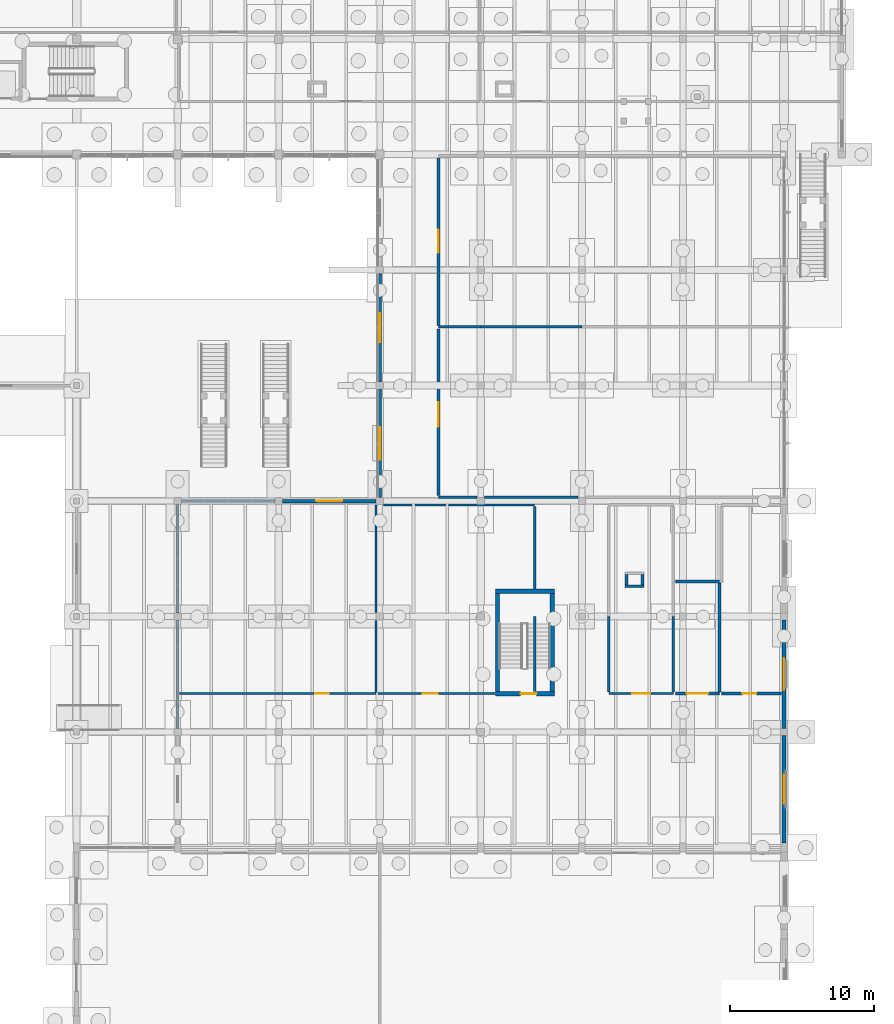
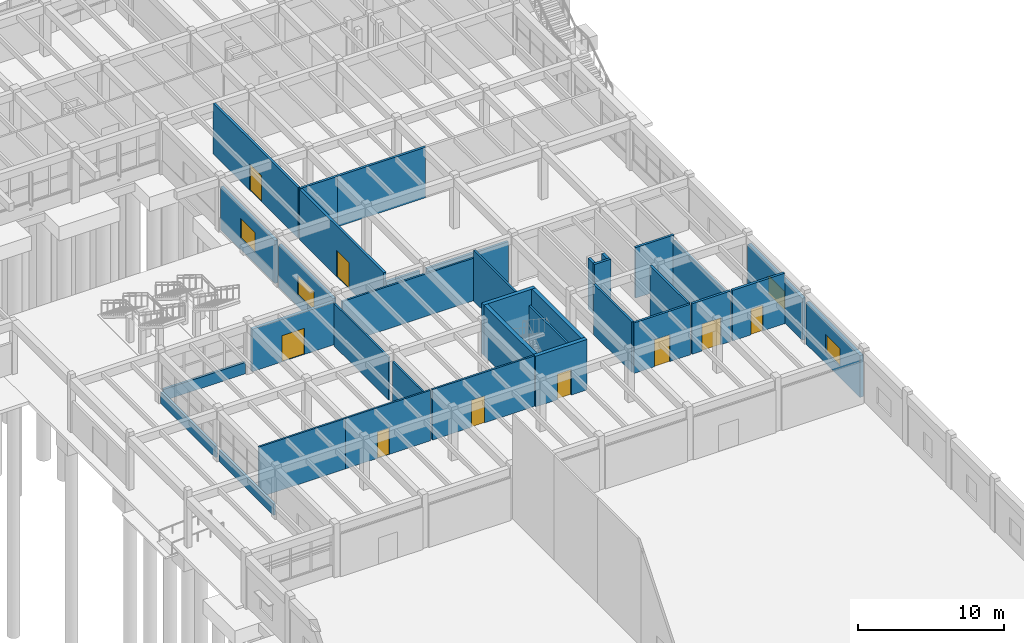
# One storey, part 69 of 99: 36 walls, 9 doors, 4 windows, 13 openings.
"""IFC4 building model written with IfcOpenShell, lengths in metres."""

from ifc_helpers import new_model, si_unit, direction, frame, frame_2d, origin, place, context, subcontext, project, spatial, rectangle, extrude, material, layer, layer_set, type_object, element, fill, save


model = new_model("IFC4")

# Units and contexts
model_context = context("Model", 3, precision=1e-05, world=origin(), true_north=direction((0.0, 1.0)))
body_context = subcontext(model_context, "Body", "Model", "MODEL_VIEW")
ifc_project = project(units=[si_unit("LENGTHUNIT", "METRE"), si_unit("AREAUNIT", "SQUARE_METRE"), si_unit("VOLUMEUNIT", "CUBIC_METRE"), si_unit("PLANEANGLEUNIT", "RADIAN"), si_unit("MASSUNIT", "GRAM", prefix="KILO")], contexts=[model_context])

# Site, building, storey
site_placement = place(None, origin())
site = spatial("IfcSite", under=ifc_project, at=site_placement, CompositionType="ELEMENT")
building_placement = place(site_placement, origin())
building = spatial("IfcBuilding", under=site, at=building_placement, Name="Tonlespit Floodbar School", CompositionType="ELEMENT")
storey_placement = place(building_placement, origin())
storey = spatial("IfcBuildingStorey", under=building, at=storey_placement, Name="L00", CompositionType="ELEMENT", Elevation=0.0)

# Wall, opening, door
ifc_material_1 = material(Name="Concrete C40/50", Category="concrete")
ifc_layer_1 = layer(ifc_material_1, 0.300048828125)
ifc_layer_set_1 = layer_set([ifc_layer_1], Name="Concrete C40/50")
wall_type_1 = type_object("IfcWallType", Name="CoreWall_RC_300", PredefinedType="SHEAR", material=ifc_layer_set_1)
wall_1_placement = place(storey_placement, frame((160.10009765625, 66.64990234375, 0.0), z_axis=(0.0, 0.0, 1.0), x_axis=(-1.0, 0.0, 0.0)))
wall_1 = element("IfcWall", 1, at=wall_1_placement, inside=storey, type_object=wall_type_1, Name="L00 core C5 shear wall NEAR", PredefinedType="SHEAR", context=body_context, shape_type="SweptSolid", body=[
    extrude(rectangle(XDim=4.10009765625, YDim=0.300048828125, at=frame_2d((2.050048828125, 0.0))), origin(), (0.0, 0.0, 1.0), 4.239990234375),
])
opening_1_placement = place(wall_1_placement, frame((1.25, 0.0, 0.0)))
opening_1 = element("IfcOpeningElement", 2, at=opening_1_placement, cuts=wall_1, Name="Opening FD1-C5-L00", PredefinedType="OPENING", context=body_context, shape_type="SweptSolid", body=[
    extrude(rectangle(XDim=1.10009765625, YDim=2.14990234375, at=frame_2d((0.550048828125, 1.074951171875))), frame((0.0, 0.159912109375, 0.0), z_axis=(0.0, -1.0, 0.0), x_axis=(1.0, 0.0, 0.0)), (0.0, 0.0, 1.0), 0.320068359375),
])
ifc_material_2 = material(Name="Galvanised Steel", Category="steel")
door_type_1 = type_object("IfcDoorType", Name="FireDoor_Stair_1100x2150", OperationType="NOTDEFINED", PredefinedType="DOOR", material=ifc_material_2)
door_1_placement = place(opening_1_placement, origin())
door_1 = element("IfcDoor", 3, at=door_1_placement, inside=storey, type_object=door_type_1, Name="L00 stair ST-C5 fire door", OperationType="SINGLE_SWING_RIGHT", OverallHeight=2.14990234375, OverallWidth=1.10009765625, PredefinedType="DOOR", context=body_context, shape_type="SweptSolid", body=[
    extrude(rectangle(XDim=1.10009765625, YDim=2.14990234375, at=frame_2d((0.550048828125, 1.074951171875))), frame((0.0, 0.02490234375, 0.0), z_axis=(0.0, -1.0, 0.0), x_axis=(1.0, 0.0, 0.0)), (0.0, 0.0, 1.0), 0.050048828125),
])
fill(opening_1, door_1)

# Walls
wall_2_placement = place(storey_placement, frame((156.0, 73.75, 0.0), z_axis=(0.0, 0.0, 1.0), x_axis=(1.0, 0.0, 0.0)))
element("IfcWall", 4, at=wall_2_placement, inside=storey, type_object=wall_type_1, Name="L00 core C5 shear wall FAR", PredefinedType="SHEAR", context=body_context, shape_type="SweptSolid", body=[
    extrude(rectangle(XDim=4.10009765625, YDim=0.300048828125, at=frame_2d((2.050048828125, 0.0))), origin(), (0.0, 0.0, 1.0), 4.239990234375),
])
for number, where, z_axis, x_axis, name in (
    (5, (159.949951171875, 66.800048828125, 0.0), (0.0, 0.0, 1.0), (0.0, 1.0, 0.0), "L00 core C5 shear wall LEFT"),
    (6, (156.14990234375, 73.60009765625, 0.0), (0.0, 0.0, 1.0), (0.0, -1.0, 0.0), "L00 core C5 shear wall RGHT"),
):
    element("IfcWall", number, at=place(storey_placement, frame(where, z_axis=z_axis, x_axis=x_axis)), inside=storey, type_object=wall_type_1, Name=name, PredefinedType="SHEAR", context=body_context, shape_type="SweptSolid", body=[
        extrude(rectangle(XDim=6.800048828125, YDim=0.300048828125, at=frame_2d((3.39990234375, 0.0))), origin(), (0.0, 0.0, 1.0), 4.239990234375),
    ])

# Wall, opening, door
ifc_material_3 = material(Name="Precast concrete C40/50", Category="concrete")
ifc_layer_2 = layer(ifc_material_3, 0.239990234375)
ifc_layer_set_2 = layer_set([ifc_layer_2], Name="Precast concrete C40/50")
wall_type_2 = type_object("IfcWallType", Name="ExtWall_Rainscreen_240", PredefinedType="SOLIDWALL", material=ifc_layer_set_2)
wall_3_placement = place(storey_placement, frame((141.25, 80.0, 0.0), z_axis=(0.0, 0.0, 1.0), x_axis=(1.0, 0.0, 0.0)))
wall_3 = element("IfcWall", 7, at=wall_3_placement, inside=storey, type_object=wall_type_2, Name="L00 external wall 0501", PredefinedType="SOLIDWALL", context=body_context, shape_type="SweptSolid", body=[
    extrude(rectangle(XDim=6.5, YDim=0.239990234375, at=frame_2d((3.25, 0.0))), origin(), (0.0, 0.0, 1.0), 3.56494140625),
])
opening_2_placement = place(wall_3_placement, frame((2.35009765625, 0.0, 0.0)))
opening_2 = element("IfcOpeningElement", 8, at=opening_2_placement, cuts=wall_3, Name="Opening D-EX-026", PredefinedType="OPENING", context=body_context, shape_type="SweptSolid", body=[
    extrude(rectangle(XDim=1.800048828125, YDim=2.199951171875, at=frame_2d((0.89990234375, 1.10009765625))), frame((0.0, 0.1298828125, 0.0), z_axis=(0.0, -1.0, 0.0), x_axis=(1.0, 0.0, 0.0)), (0.0, 0.0, 1.0), 0.260009765625),
])
ifc_material_4 = material(Name="Anodised Aluminium", Category="aluminium")
door_type_2 = type_object("IfcDoorType", Name="ExtDoor_Exit_1800x2200", OperationType="NOTDEFINED", PredefinedType="DOOR", material=ifc_material_4)
door_2_placement = place(opening_2_placement, origin())
door_2 = element("IfcDoor", 9, at=door_2_placement, inside=storey, type_object=door_type_2, Name="Final exit door D-EX-026", OperationType="SINGLE_SWING_RIGHT", OverallHeight=2.199951171875, OverallWidth=1.800048828125, PredefinedType="DOOR", context=body_context, shape_type="SweptSolid", body=[
    extrude(rectangle(XDim=1.800048828125, YDim=2.199951171875, at=frame_2d((0.89990234375, 1.10009765625))), frame((0.0, 0.02490234375, 0.0), z_axis=(0.0, -1.0, 0.0), x_axis=(1.0, 0.0, 0.0)), (0.0, 0.0, 1.0), 0.050048828125),
])
fill(opening_2, door_2)

# Wall, opening, window
wall_4_placement = place(storey_placement, frame((148.0, 88.25, 0.0), z_axis=(0.0, 0.0, 1.0), x_axis=(0.0, 1.0, 0.0)))
wall_4 = element("IfcWall", 10, at=wall_4_placement, inside=storey, type_object=wall_type_2, Name="L00 external wall 0550", PredefinedType="SOLIDWALL", context=body_context, shape_type="SweptSolid", body=[
    extrude(rectangle(XDim=7.5, YDim=0.239990234375, at=frame_2d((3.75, 0.0))), origin(), (0.0, 0.0, 1.0), 3.590087890625),
])
opening_3_placement = place(wall_4_placement, frame((2.75, 0.0, 0.949951171875)))
opening_3 = element("IfcOpeningElement", 11, at=opening_3_placement, cuts=wall_4, Name="Opening W-L00-077", PredefinedType="OPENING", context=body_context, shape_type="SweptSolid", body=[
    extrude(rectangle(XDim=2.0, YDim=1.64990234375, at=frame_2d((1.0, 0.824951171875))), frame((0.0, 0.1298828125, 0.0), z_axis=(0.0, -1.0, 0.0), x_axis=(1.0, 0.0, 0.0)), (0.0, 0.0, 1.0), 0.260009765625),
])
ifc_material_5 = material(Name="Tempered Double Glazing", Category="glass")
window_type_1 = type_object("IfcWindowType", Name="Win_Mod_2000x1650", PartitioningType="DOUBLE_PANEL_VERTICAL", PredefinedType="WINDOW", material=ifc_material_5)
window_1_placement = place(opening_3_placement, origin())
window_1 = element("IfcWindow", 12, at=window_1_placement, inside=storey, type_object=window_type_1, Name="L00 window W-L00-077", OverallHeight=1.64990234375, OverallWidth=2.0, PartitioningType="DOUBLE_PANEL_VERTICAL", PredefinedType="WINDOW", context=body_context, shape_type="SweptSolid", body=[
    extrude(rectangle(XDim=2.0, YDim=1.64990234375, at=frame_2d((1.0, 0.824951171875))), frame((0.0, 0.030029296875, 0.0), z_axis=(0.0, -1.0, 0.0), x_axis=(1.0, 0.0, 0.0)), (0.0, 0.0, 1.0), 0.06005859375),
])
fill(opening_3, window_1)

wall_5_placement = place(storey_placement, frame((148.0, 80.25, 0.0), z_axis=(0.0, 0.0, 1.0), x_axis=(0.0, 1.0, 0.0)))
wall_5 = element("IfcWall", 13, at=wall_5_placement, inside=storey, type_object=wall_type_2, Name="L00 external wall 0552", PredefinedType="SOLIDWALL", context=body_context, shape_type="SweptSolid", body=[
    extrude(rectangle(XDim=7.5, YDim=0.239990234375, at=frame_2d((3.75, 0.0))), origin(), (0.0, 0.0, 1.0), 3.590087890625),
])
opening_4_placement = place(wall_5_placement, frame((2.625, 0.0, 0.949951171875)))
opening_4 = element("IfcOpeningElement", 14, at=opening_4_placement, cuts=wall_5, Name="Opening W-L00-078", PredefinedType="OPENING", context=body_context, shape_type="SweptSolid", body=[
    extrude(rectangle(XDim=2.25, YDim=1.64990234375, at=frame_2d((1.125, 0.824951171875))), frame((0.0, 0.1298828125, 0.0), z_axis=(0.0, -1.0, 0.0), x_axis=(1.0, 0.0, 0.0)), (0.0, 0.0, 1.0), 0.260009765625),
])
window_type_2 = type_object("IfcWindowType", Name="Win_Mod_2250x1650", PartitioningType="DOUBLE_PANEL_VERTICAL", PredefinedType="WINDOW", material=ifc_material_5)
window_2_placement = place(opening_4_placement, origin())
window_2 = element("IfcWindow", 15, at=window_2_placement, inside=storey, type_object=window_type_2, Name="L00 window W-L00-078", OverallHeight=1.64990234375, OverallWidth=2.25, PartitioningType="DOUBLE_PANEL_VERTICAL", PredefinedType="WINDOW", context=body_context, shape_type="SweptSolid", body=[
    extrude(rectangle(XDim=2.25, YDim=1.64990234375, at=frame_2d((1.125, 0.824951171875))), frame((0.0, 0.030029296875, 0.0), z_axis=(0.0, -1.0, 0.0), x_axis=(1.0, 0.0, 0.0)), (0.0, 0.0, 1.0), 0.06005859375),
])
fill(opening_4, window_2)

ifc_layer_3 = layer(ifc_material_3, 0.27490234375)
ifc_layer_set_3 = layer_set([ifc_layer_3], Name="Precast concrete C40/50")
wall_type_3 = type_object("IfcWallType", Name="ExtWall_Rainscreen_275", PredefinedType="SOLIDWALL", material=ifc_layer_set_3)
wall_6_placement = place(storey_placement, frame((176.0, 63.75, 0.0), z_axis=(0.0, 0.0, 1.0), x_axis=(0.0, -1.0, 0.0)))
wall_6 = element("IfcWall", 16, at=wall_6_placement, inside=storey, type_object=wall_type_3, Name="L00 external wall 0495", PredefinedType="SOLIDWALL", context=body_context, shape_type="SweptSolid", body=[
    extrude(rectangle(XDim=7.425048828125, YDim=0.27490234375, at=frame_2d((3.71240234375, 0.0))), origin(), (0.0, 0.0, 1.0), 3.514892578125),
])
opening_5_placement = place(wall_6_placement, frame((2.71240234375, 0.0, 0.949951171875)))
opening_5 = element("IfcOpeningElement", 17, at=opening_5_placement, cuts=wall_6, Name="Opening W-L00-070", PredefinedType="OPENING", context=body_context, shape_type="SweptSolid", body=[
    extrude(rectangle(XDim=2.0, YDim=1.5, at=frame_2d((1.0, 0.75))), frame((0.0, 0.1474609375, 0.0), z_axis=(0.0, -1.0, 0.0), x_axis=(1.0, 0.0, 0.0)), (0.0, 0.0, 1.0), 0.294921875),
])
window_type_3 = type_object("IfcWindowType", Name="Win_Mod_2000x1500", PartitioningType="DOUBLE_PANEL_VERTICAL", PredefinedType="WINDOW", material=ifc_material_5)
window_3_placement = place(opening_5_placement, origin())
window_3 = element("IfcWindow", 18, at=window_3_placement, inside=storey, type_object=window_type_3, Name="L00 window W-L00-070", OverallHeight=1.5, OverallWidth=2.0, PartitioningType="DOUBLE_PANEL_VERTICAL", PredefinedType="WINDOW", context=body_context, shape_type="SweptSolid", body=[
    extrude(rectangle(XDim=2.0, YDim=1.5, at=frame_2d((1.0, 0.75))), frame((0.0, 0.030029296875, 0.0), z_axis=(0.0, -1.0, 0.0), x_axis=(1.0, 0.0, 0.0)), (0.0, 0.0, 1.0), 0.06005859375),
])
fill(opening_5, window_3)

wall_7_placement = place(storey_placement, frame((176.0, 71.75, 0.0), z_axis=(0.0, 0.0, 1.0), x_axis=(0.0, -1.0, 0.0)))
wall_7 = element("IfcWall", 19, at=wall_7_placement, inside=storey, type_object=wall_type_3, Name="L00 external wall 0497", PredefinedType="SOLIDWALL", context=body_context, shape_type="SweptSolid", body=[
    extrude(rectangle(XDim=7.5, YDim=0.27490234375, at=frame_2d((3.75, 0.0))), origin(), (0.0, 0.0, 1.0), 3.514892578125),
])
opening_6_placement = place(wall_7_placement, frame((2.64990234375, 0.0, 0.949951171875)))
opening_6 = element("IfcOpeningElement", 20, at=opening_6_placement, cuts=wall_7, Name="Opening W-L00-071", PredefinedType="OPENING", context=body_context, shape_type="SweptSolid", body=[
    extrude(rectangle(XDim=2.199951171875, YDim=1.5, at=frame_2d((1.10009765625, 0.75))), frame((0.0, 0.1474609375, 0.0), z_axis=(0.0, -1.0, 0.0), x_axis=(1.0, 0.0, 0.0)), (0.0, 0.0, 1.0), 0.294921875),
])
window_type_4 = type_object("IfcWindowType", Name="Win_Mod_2200x1500", PartitioningType="DOUBLE_PANEL_VERTICAL", PredefinedType="WINDOW", material=ifc_material_5)
window_4_placement = place(opening_6_placement, origin())
window_4 = element("IfcWindow", 21, at=window_4_placement, inside=storey, type_object=window_type_4, Name="L00 window W-L00-071", OverallHeight=1.5, OverallWidth=2.199951171875, PartitioningType="DOUBLE_PANEL_VERTICAL", PredefinedType="WINDOW", context=body_context, shape_type="SweptSolid", body=[
    extrude(rectangle(XDim=2.199951171875, YDim=1.5, at=frame_2d((1.10009765625, 0.75))), frame((0.0, 0.030029296875, 0.0), z_axis=(0.0, -1.0, 0.0), x_axis=(1.0, 0.0, 0.0)), (0.0, 0.0, 1.0), 0.06005859375),
])
fill(opening_6, window_4)

# Walls
ifc_material_6 = material(Name="White Architectural Precast concrete C40/50", Category="concrete")
ifc_layer_4 = layer(ifc_material_6, 0.18505859375)
ifc_layer_set_4 = layer_set([ifc_layer_4], Name="White Architectural Precast concrete C40/50")
wall_type_4 = type_object("IfcWallType", Name="ExtWall_Spandrel_White_185", PredefinedType="SOLIDWALL", material=ifc_layer_set_4)
for number, where, z_axis, x_axis, name in (
    (22, (134.0, 64.25, 0.0), (0.0, 0.0, 1.0), (0.0, 1.0, 0.0), "L00 spandrel wall 0496"),
    (23, (134.0, 72.25, 0.0), (0.0, 0.0, 1.0), (0.0, 1.0, 0.0), "L00 spandrel wall 0498"),
):
    element("IfcWall", number, at=place(storey_placement, frame(where, z_axis=z_axis, x_axis=x_axis)), inside=storey, type_object=wall_type_4, Name=name, PredefinedType="SOLIDWALL", context=body_context, shape_type="SweptSolid", body=[
        extrude(rectangle(XDim=7.5, YDim=0.18505859375, at=frame_2d((3.75, 0.0))), origin(), (0.0, 0.0, 1.0), 0.949951171875),
    ])
wall_8_placement = place(storey_placement, frame((134.25, 80.0, 0.0), z_axis=(0.0, 0.0, 1.0), x_axis=(1.0, 0.0, 0.0)))
element("IfcWall", 24, at=wall_8_placement, inside=storey, type_object=wall_type_4, Name="L00 spandrel wall 0500", PredefinedType="SOLIDWALL", context=body_context, shape_type="SweptSolid", body=[
    extrude(rectangle(XDim=6.5, YDim=0.18505859375, at=frame_2d((3.25, 0.0))), origin(), (0.0, 0.0, 1.0), 0.949951171875),
])
ifc_layer_5 = layer(ifc_material_1, 0.199951171875)
ifc_layer_set_5 = layer_set([ifc_layer_5], Name="Concrete C40/50")
wall_type_5 = type_object("IfcWallType", Name="FireWall_Plant_200", PredefinedType="PARTITIONING", material=ifc_layer_set_5)
wall_9_placement = place(storey_placement, frame((166.300048828125, 74.10009765625, 0.0), z_axis=(0.0, 0.0, 1.0), x_axis=(-1.0, 0.0, 0.0)))
element("IfcWall", 25, at=wall_9_placement, inside=storey, type_object=wall_type_5, Name="L00 service riser 08 wall S", PredefinedType="PARTITIONING", context=body_context, shape_type="SweptSolid", body=[
    extrude(rectangle(XDim=1.300048828125, YDim=0.199951171875, at=frame_2d((0.64990234375, 0.0))), origin(), (0.0, 0.0, 1.0), 4.239990234375),
])
for number, where, z_axis, x_axis, name in (
    (26, (165.10009765625, 74.199951171875, 0.0), (0.0, 0.0, 1.0), (0.0, 1.0, 0.0), "L00 service riser 08 wall W"),
    (27, (166.199951171875, 74.89990234375, 0.0), (0.0, 0.0, 1.0), (0.0, -1.0, 0.0), "L00 service riser 08 wall E"),
):
    element("IfcWall", number, at=place(storey_placement, frame(where, z_axis=z_axis, x_axis=x_axis)), inside=storey, type_object=wall_type_5, Name=name, PredefinedType="PARTITIONING", context=body_context, shape_type="SweptSolid", body=[
        extrude(rectangle(XDim=0.699951171875, YDim=0.199951171875, at=frame_2d((0.35009765625, 0.0))), origin(), (0.0, 0.0, 1.0), 4.239990234375),
    ])
ifc_material_7 = material(Name="Gypsum Plasterboard Partition")
ifc_layer_6 = layer(ifc_material_7, 0.139892578125)
ifc_layer_set_6 = layer_set([ifc_layer_6], Name="Gypsum Plasterboard Partition")
wall_type_6 = type_object("IfcWallType", Name="Partition_Gyp_140", PredefinedType="PARTITIONING", material=ifc_layer_set_6)
wall_10_placement = place(storey_placement, frame((134.134521484375, 66.669921875, 0.0), z_axis=(0.0, 0.0, 1.0), x_axis=(1.0, 0.0, 0.0)))
element("IfcWall", 28, at=wall_10_placement, inside=storey, type_object=wall_type_6, Name="L00 partition wall 0280", PredefinedType="PARTITIONING", context=body_context, shape_type="SweptSolid", body=[
    extrude(rectangle(XDim=6.865478515625, YDim=0.139892578125, at=frame_2d((3.4326171875, 0.0))), origin(), (0.0, 0.0, 1.0), 4.239990234375),
])

# Wall, opening, door
wall_11_placement = place(storey_placement, frame((141.0, 66.669921875, 0.0), z_axis=(0.0, 0.0, 1.0), x_axis=(1.0, 0.0, 0.0)))
wall_11 = element("IfcWall", 29, at=wall_11_placement, inside=storey, type_object=wall_type_6, Name="L00 partition wall 0281", PredefinedType="PARTITIONING", context=body_context, shape_type="SweptSolid", body=[
    extrude(rectangle(XDim=6.72998046875, YDim=0.139892578125, at=frame_2d((3.364990234375, 0.0))), origin(), (0.0, 0.0, 1.0), 4.239990234375),
])
opening_7_placement = place(wall_11_placement, frame((2.5400390625, 0.0, 0.0)))
opening_7 = element("IfcOpeningElement", 30, at=opening_7_placement, cuts=wall_11, Name="Opening D-L00-082", PredefinedType="OPENING", context=body_context, shape_type="SweptSolid", body=[
    extrude(rectangle(XDim=0.919921875, YDim=2.199951171875, at=frame_2d((0.4599609375, 1.10009765625))), frame((0.0, 0.079833984375, 0.0), z_axis=(0.0, -1.0, 0.0), x_axis=(1.0, 0.0, 0.0)), (0.0, 0.0, 1.0), 0.159912109375),
])
ifc_material_8 = material(Name="Hardwood Timber", Category="wood")
door_type_3 = type_object("IfcDoorType", Name="IntDoor_920x2200", OperationType="NOTDEFINED", PredefinedType="DOOR", material=ifc_material_8)
door_3_placement = place(opening_7_placement, origin())
door_3 = element("IfcDoor", 31, at=door_3_placement, inside=storey, type_object=door_type_3, Name="L00 interior door D-L00-082", OperationType="SINGLE_SWING_LEFT", OverallHeight=2.199951171875, OverallWidth=0.919921875, PredefinedType="DOOR", context=body_context, shape_type="SweptSolid", body=[
    extrude(rectangle(XDim=0.919921875, YDim=2.199951171875, at=frame_2d((0.4599609375, 1.10009765625))), frame((0.0, 0.02490234375, 0.0), z_axis=(0.0, -1.0, 0.0), x_axis=(1.0, 0.0, 0.0)), (0.0, 0.0, 1.0), 0.050048828125),
])
fill(opening_7, door_3)

# Walls
wall_12_placement = place(storey_placement, frame((147.72998046875, 66.7548828125, 0.0), z_axis=(0.0, 0.0, 1.0), x_axis=(0.0, 1.0, 0.0)))
element("IfcWall", 32, at=wall_12_placement, inside=storey, type_object=wall_type_6, Name="L00 partition wall 0282", PredefinedType="PARTITIONING", context=body_context, shape_type="SweptSolid", body=[
    extrude(rectangle(XDim=4.980224609375, YDim=0.139892578125, at=frame_2d((2.490234375, 0.0))), origin(), (0.0, 0.0, 1.0), 3.56494140625),
])
wall_13_placement = place(storey_placement, frame((147.72998046875, 72.264892578125, 0.0), z_axis=(0.0, 0.0, 1.0), x_axis=(0.0, 1.0, 0.0)))
element("IfcWall", 33, at=wall_13_placement, inside=storey, type_object=wall_type_6, Name="L00 partition wall 0283", PredefinedType="PARTITIONING", context=body_context, shape_type="SweptSolid", body=[
    extrude(rectangle(XDim=7.47021484375, YDim=0.139892578125, at=frame_2d((3.735107421875, 0.0))), origin(), (0.0, 0.0, 1.0), 3.56494140625),
])

# Wall, opening, door
ifc_layer_7 = layer(ifc_material_7, 0.14990234375)
ifc_layer_set_7 = layer_set([ifc_layer_7], Name="Gypsum Plasterboard Partition")
wall_type_7 = type_object("IfcWallType", Name="Partition_Gyp_150", PredefinedType="PARTITIONING", material=ifc_layer_set_7)
wall_14_placement = place(storey_placement, frame((147.8701171875, 66.669921875, 0.0), z_axis=(0.0, 0.0, 1.0), x_axis=(1.0, 0.0, 0.0)))
wall_14 = element("IfcWall", 34, at=wall_14_placement, inside=storey, type_object=wall_type_7, Name="L00 partition wall 0284", PredefinedType="PARTITIONING", context=body_context, shape_type="SweptSolid", body=[
    extrude(rectangle(XDim=8.10986328125, YDim=0.14990234375, at=frame_2d((4.054931640625, 0.0))), origin(), (0.0, 0.0, 1.0), 4.239990234375),
])
opening_8_placement = place(wall_14_placement, frame((3.110107421875, 0.0, 0.0)))
opening_8 = element("IfcOpeningElement", 35, at=opening_8_placement, cuts=wall_14, Name="Opening D-L00-083", PredefinedType="OPENING", context=body_context, shape_type="SweptSolid", body=[
    extrude(rectangle(XDim=1.0400390625, YDim=2.25, at=frame_2d((0.52001953125, 1.125))), frame((0.0, 0.0849609375, 0.0), z_axis=(0.0, -1.0, 0.0), x_axis=(1.0, 0.0, 0.0)), (0.0, 0.0, 1.0), 0.169921875),
])
door_type_4 = type_object("IfcDoorType", Name="IntDoor_1040x2250", OperationType="NOTDEFINED", PredefinedType="DOOR", material=ifc_material_8)
door_4_placement = place(opening_8_placement, origin())
door_4 = element("IfcDoor", 36, at=door_4_placement, inside=storey, type_object=door_type_4, Name="L00 interior door D-L00-083", OperationType="SINGLE_SWING_RIGHT", OverallHeight=2.25, OverallWidth=1.0400390625, PredefinedType="DOOR", context=body_context, shape_type="SweptSolid", body=[
    extrude(rectangle(XDim=1.0400390625, YDim=2.25, at=frame_2d((0.52001953125, 1.125))), frame((0.0, 0.02490234375, 0.0), z_axis=(0.0, -1.0, 0.0), x_axis=(1.0, 0.0, 0.0)), (0.0, 0.0, 1.0), 0.050048828125),
])
fill(opening_8, door_4)

# Walls
wall_15_placement = place(storey_placement, frame((148.264892578125, 79.72998046875, 0.0), z_axis=(0.0, 0.0, 1.0), x_axis=(1.0, 0.0, 0.0)))
element("IfcWall", 37, at=wall_15_placement, inside=storey, type_object=wall_type_7, Name="L00 partition wall 0285", PredefinedType="PARTITIONING", context=body_context, shape_type="SweptSolid", body=[
    extrude(rectangle(XDim=10.465087890625, YDim=0.14990234375, at=frame_2d((5.232421875, 0.0))), origin(), (0.0, 0.0, 1.0), 3.56494140625),
])
wall_16_placement = place(storey_placement, frame((158.72998046875, 66.81494140625, 0.0), z_axis=(0.0, 0.0, 1.0), x_axis=(0.0, 1.0, 0.0)))
element("IfcWall", 38, at=wall_16_placement, inside=storey, type_object=wall_type_7, Name="L00 partition wall 0286", PredefinedType="PARTITIONING", context=body_context, shape_type="SweptSolid", body=[
    extrude(rectangle(XDim=5.18505859375, YDim=0.14990234375, at=frame_2d((2.592529296875, 0.0))), origin(), (0.0, 0.0, 1.0), 4.239990234375),
])
wall_17_placement = place(storey_placement, frame((158.72998046875, 73.9150390625, 0.0), z_axis=(0.0, 0.0, 1.0), x_axis=(0.0, 1.0, 0.0)))
element("IfcWall", 39, at=wall_17_placement, inside=storey, type_object=wall_type_7, Name="L00 partition wall 0287", PredefinedType="PARTITIONING", context=body_context, shape_type="SweptSolid", body=[
    extrude(rectangle(XDim=5.724853515625, YDim=0.14990234375, at=frame_2d((2.8623046875, 0.0))), origin(), (0.0, 0.0, 1.0), 4.239990234375),
])

# Wall, opening, door
ifc_layer_8 = layer(ifc_material_7, 0.169921875)
ifc_layer_set_8 = layer_set([ifc_layer_8], Name="Gypsum Plasterboard Partition")
wall_type_8 = type_object("IfcWallType", Name="Partition_Gyp_170", PredefinedType="PARTITIONING", material=ifc_layer_set_8)
wall_18_placement = place(storey_placement, frame((163.8701171875, 66.669921875, 0.0), z_axis=(0.0, 0.0, 1.0), x_axis=(1.0, 0.0, 0.0)))
wall_18 = element("IfcWall", 40, at=wall_18_placement, inside=storey, type_object=wall_type_8, Name="L00 partition wall 0288", PredefinedType="PARTITIONING", context=body_context, shape_type="SweptSolid", body=[
    extrude(rectangle(XDim=4.4599609375, YDim=0.169921875, at=frame_2d((2.22998046875, 0.0))), origin(), (0.0, 0.0, 1.0), 4.239990234375),
])
opening_9_placement = place(wall_18_placement, frame((1.610107421875, 0.0, 0.0)))
opening_9 = element("IfcOpeningElement", 41, at=opening_9_placement, cuts=wall_18, Name="Opening D-L00-084", PredefinedType="OPENING", context=body_context, shape_type="SweptSolid", body=[
    extrude(rectangle(XDim=1.239990234375, YDim=2.25, at=frame_2d((0.6201171875, 1.125))), frame((0.0, 0.094970703125, 0.0), z_axis=(0.0, -1.0, 0.0), x_axis=(1.0, 0.0, 0.0)), (0.0, 0.0, 1.0), 0.18994140625),
])
door_type_5 = type_object("IfcDoorType", Name="IntDoor_1240x2250", OperationType="NOTDEFINED", PredefinedType="DOOR", material=ifc_material_8)
door_5_placement = place(opening_9_placement, origin())
door_5 = element("IfcDoor", 42, at=door_5_placement, inside=storey, type_object=door_type_5, Name="L00 interior door D-L00-084", OperationType="SINGLE_SWING_LEFT", OverallHeight=2.25, OverallWidth=1.239990234375, PredefinedType="DOOR", context=body_context, shape_type="SweptSolid", body=[
    extrude(rectangle(XDim=1.239990234375, YDim=2.25, at=frame_2d((0.6201171875, 1.125))), frame((0.0, 0.02490234375, 0.0), z_axis=(0.0, -1.0, 0.0), x_axis=(1.0, 0.0, 0.0)), (0.0, 0.0, 1.0), 0.050048828125),
])
fill(opening_9, door_5)

# Walls
for number, where, z_axis, x_axis, name in (
    (43, (163.8701171875, 66.77001953125, 0.0), (0.0, 0.0, 1.0), (0.0, 1.0, 0.0), "L00 partition wall 0290"),
    (44, (168.330078125, 66.77001953125, 0.0), (0.0, 0.0, 1.0), (0.0, 1.0, 0.0), "L00 partition wall 0292"),
):
    element("IfcWall", number, at=place(storey_placement, frame(where, z_axis=z_axis, x_axis=x_axis)), inside=storey, type_object=wall_type_8, Name=name, PredefinedType="PARTITIONING", context=body_context, shape_type="SweptSolid", body=[
        extrude(rectangle(XDim=5.22998046875, YDim=0.169921875, at=frame_2d((2.614990234375, 0.0))), origin(), (0.0, 0.0, 1.0), 4.239990234375),
    ])

# Wall, opening, door
ifc_layer_9 = layer(ifc_material_7, 0.18505859375)
ifc_layer_set_9 = layer_set([ifc_layer_9], Name="Gypsum Plasterboard Partition")
wall_type_9 = type_object("IfcWallType", Name="Partition_Gyp_185", PredefinedType="PARTITIONING", material=ifc_layer_set_9)
wall_19_placement = place(storey_placement, frame((168.469970703125, 66.669921875, 0.0), z_axis=(0.0, 0.0, 1.0), x_axis=(1.0, 0.0, 0.0)))
wall_19 = element("IfcWall", 45, at=wall_19_placement, inside=storey, type_object=wall_type_9, Name="L00 partition wall 0294", PredefinedType="PARTITIONING", context=body_context, shape_type="SweptSolid", body=[
    extrude(rectangle(XDim=3.06005859375, YDim=0.18505859375, at=frame_2d((1.530029296875, 0.0))), origin(), (0.0, 0.0, 1.0), 4.239990234375),
])
opening_10_placement = place(wall_19_placement, frame((0.7900390625, 0.0, 0.0)))
opening_10 = element("IfcOpeningElement", 46, at=opening_10_placement, cuts=wall_19, Name="Opening D-L00-085", PredefinedType="OPENING", context=body_context, shape_type="SweptSolid", body=[
    extrude(rectangle(XDim=1.47998046875, YDim=2.25, at=frame_2d((0.739990234375, 1.125))), frame((0.0, 0.1025390625, 0.0), z_axis=(0.0, -1.0, 0.0), x_axis=(1.0, 0.0, 0.0)), (0.0, 0.0, 1.0), 0.205078125),
])
door_type_6 = type_object("IfcDoorType", Name="IntDoor_1480x2250", OperationType="NOTDEFINED", PredefinedType="DOOR", material=ifc_material_8)
door_6_placement = place(opening_10_placement, origin())
door_6 = element("IfcDoor", 47, at=door_6_placement, inside=storey, type_object=door_type_6, Name="L00 interior door D-L00-085", OperationType="SINGLE_SWING_RIGHT", OverallHeight=2.25, OverallWidth=1.47998046875, PredefinedType="DOOR", context=body_context, shape_type="SweptSolid", body=[
    extrude(rectangle(XDim=1.47998046875, YDim=2.25, at=frame_2d((0.739990234375, 1.125))), frame((0.0, 0.02490234375, 0.0), z_axis=(0.0, -1.0, 0.0), x_axis=(1.0, 0.0, 0.0)), (0.0, 0.0, 1.0), 0.050048828125),
])
fill(opening_10, door_6)

# Walls
wall_20_placement = place(storey_placement, frame((168.469970703125, 74.429931640625, 0.0), z_axis=(0.0, 0.0, 1.0), x_axis=(1.0, 0.0, 0.0)))
element("IfcWall", 48, at=wall_20_placement, inside=storey, type_object=wall_type_9, Name="L00 partition wall 0295", PredefinedType="PARTITIONING", context=body_context, shape_type="SweptSolid", body=[
    extrude(rectangle(XDim=3.06005859375, YDim=0.18505859375, at=frame_2d((1.530029296875, 0.0))), origin(), (0.0, 0.0, 1.0), 4.239990234375),
])
wall_21_placement = place(storey_placement, frame((171.530029296875, 66.777587890625, 0.0), z_axis=(0.0, 0.0, 1.0), x_axis=(0.0, 1.0, 0.0)))
element("IfcWall", 49, at=wall_21_placement, inside=storey, type_object=wall_type_9, Name="L00 partition wall 0296", PredefinedType="PARTITIONING", context=body_context, shape_type="SweptSolid", body=[
    extrude(rectangle(XDim=7.544921875, YDim=0.18505859375, at=frame_2d((3.7724609375, 0.0))), origin(), (0.0, 0.0, 1.0), 3.81494140625),
])
wall_22_placement = place(storey_placement, frame((152.070068359375, 92.070068359375, 0.0), z_axis=(0.0, 0.0, 1.0), x_axis=(1.0, 0.0, 0.0)))
element("IfcWall", 50, at=wall_22_placement, inside=storey, type_object=wall_type_9, Name="L00 partition wall 0342", PredefinedType="PARTITIONING", context=body_context, shape_type="SweptSolid", body=[
    extrude(rectangle(XDim=2.929931640625, YDim=0.18505859375, at=frame_2d((1.46484375, 0.0))), origin(), (0.0, 0.0, 1.0), 4.239990234375),
])
wall_23_placement = place(storey_placement, frame((155.0, 92.070068359375, 0.0), z_axis=(0.0, 0.0, 1.0), x_axis=(1.0, 0.0, 0.0)))
element("IfcWall", 51, at=wall_23_placement, inside=storey, type_object=wall_type_9, Name="L00 partition wall 0343", PredefinedType="PARTITIONING", context=body_context, shape_type="SweptSolid", body=[
    extrude(rectangle(XDim=7.0, YDim=0.18505859375, at=frame_2d((3.5, 0.0))), origin(), (0.0, 0.0, 1.0), 4.239990234375),
])

# Wall, opening, door
wall_24_placement = place(storey_placement, frame((152.070068359375, 92.177490234375, 0.0), z_axis=(0.0, 0.0, 1.0), x_axis=(0.0, 1.0, 0.0)))
wall_24 = element("IfcWall", 52, at=wall_24_placement, inside=storey, type_object=wall_type_9, Name="L00 partition wall 0350", PredefinedType="PARTITIONING", context=body_context, shape_type="SweptSolid", body=[
    extrude(rectangle(XDim=11.64501953125, YDim=0.18505859375, at=frame_2d((5.822509765625, 0.0))), origin(), (0.0, 0.0, 1.0), 4.239990234375),
])
opening_11_placement = place(wall_24_placement, frame((5.0224609375, 0.0, 0.0)))
opening_11 = element("IfcOpeningElement", 53, at=opening_11_placement, cuts=wall_24, Name="Opening D-L00-097", PredefinedType="OPENING", context=body_context, shape_type="SweptSolid", body=[
    extrude(rectangle(XDim=1.60009765625, YDim=2.199951171875, at=frame_2d((0.800048828125, 1.10009765625))), frame((0.0, 0.1025390625, 0.0), z_axis=(0.0, -1.0, 0.0), x_axis=(1.0, 0.0, 0.0)), (0.0, 0.0, 1.0), 0.205078125),
])
door_type_7 = type_object("IfcDoorType", Name="IntDoor_1600x2200", OperationType="NOTDEFINED", PredefinedType="DOOR", material=ifc_material_8)
door_7_placement = place(opening_11_placement, origin())
door_7 = element("IfcDoor", 54, at=door_7_placement, inside=storey, type_object=door_type_7, Name="L00 interior door D-L00-097", OperationType="SINGLE_SWING_RIGHT", OverallHeight=2.199951171875, OverallWidth=1.60009765625, PredefinedType="DOOR", context=body_context, shape_type="SweptSolid", body=[
    extrude(rectangle(XDim=1.60009765625, YDim=2.199951171875, at=frame_2d((0.800048828125, 1.10009765625))), frame((0.0, 0.02490234375, 0.0), z_axis=(0.0, -1.0, 0.0), x_axis=(1.0, 0.0, 0.0)), (0.0, 0.0, 1.0), 0.050048828125),
])
fill(opening_11, door_7)

ifc_layer_10 = layer(ifc_material_7, 0.195068359375)
ifc_layer_set_10 = layer_set([ifc_layer_10], Name="Gypsum Plasterboard Partition")
wall_type_10 = type_object("IfcWallType", Name="Partition_Gyp_195", PredefinedType="PARTITIONING", material=ifc_layer_set_10)
wall_25_placement = place(storey_placement, frame((171.669921875, 66.669921875, 0.0), z_axis=(0.0, 0.0, 1.0), x_axis=(1.0, 0.0, 0.0)))
wall_25 = element("IfcWall", 55, at=wall_25_placement, inside=storey, type_object=wall_type_10, Name="L00 partition wall 0297", PredefinedType="PARTITIONING", context=body_context, shape_type="SweptSolid", body=[
    extrude(rectangle(XDim=4.150634765625, YDim=0.195068359375, at=frame_2d((2.0751953125, 0.0))), origin(), (0.0, 0.0, 1.0), 4.239990234375),
])
opening_12_placement = place(wall_25_placement, frame((1.449951171875, 0.0, 0.0)))
opening_12 = element("IfcOpeningElement", 56, at=opening_12_placement, cuts=wall_25, Name="Opening D-L00-086", PredefinedType="OPENING", context=body_context, shape_type="SweptSolid", body=[
    extrude(rectangle(XDim=0.9599609375, YDim=2.14990234375, at=frame_2d((0.47998046875, 1.074951171875))), frame((0.0, 0.107421875, 0.0), z_axis=(0.0, -1.0, 0.0), x_axis=(1.0, 0.0, 0.0)), (0.0, 0.0, 1.0), 0.215087890625),
])
door_type_8 = type_object("IfcDoorType", Name="IntDoor_960x2150", OperationType="NOTDEFINED", PredefinedType="DOOR", material=ifc_material_8)
door_8_placement = place(opening_12_placement, origin())
door_8 = element("IfcDoor", 57, at=door_8_placement, inside=storey, type_object=door_type_8, Name="L00 interior door D-L00-086", OperationType="SINGLE_SWING_LEFT", OverallHeight=2.14990234375, OverallWidth=0.9599609375, PredefinedType="DOOR", context=body_context, shape_type="SweptSolid", body=[
    extrude(rectangle(XDim=0.9599609375, YDim=2.14990234375, at=frame_2d((0.47998046875, 1.074951171875))), frame((0.0, 0.02490234375, 0.0), z_axis=(0.0, -1.0, 0.0), x_axis=(1.0, 0.0, 0.0)), (0.0, 0.0, 1.0), 0.050048828125),
])
fill(opening_12, door_8)

# Walls
wall_26_placement = place(storey_placement, frame((152.070068359375, 80.27001953125, 0.0), z_axis=(0.0, 0.0, 1.0), x_axis=(1.0, 0.0, 0.0)))
element("IfcWall", 58, at=wall_26_placement, inside=storey, type_object=wall_type_10, Name="L00 partition wall 0351", PredefinedType="PARTITIONING", context=body_context, shape_type="SweptSolid", body=[
    extrude(rectangle(XDim=2.6650390625, YDim=0.195068359375, at=frame_2d((1.33251953125, 0.0))), origin(), (0.0, 0.0, 1.0), 3.56494140625),
])
wall_27_placement = place(storey_placement, frame((155.264892578125, 80.27001953125, 0.0), z_axis=(0.0, 0.0, 1.0), x_axis=(1.0, 0.0, 0.0)))
element("IfcWall", 59, at=wall_27_placement, inside=storey, type_object=wall_type_10, Name="L00 partition wall 0352", PredefinedType="PARTITIONING", context=body_context, shape_type="SweptSolid", body=[
    extrude(rectangle(XDim=6.47021484375, YDim=0.195068359375, at=frame_2d((3.235107421875, 0.0))), origin(), (0.0, 0.0, 1.0), 3.56494140625),
])

# Wall, opening, door
wall_28_placement = place(storey_placement, frame((152.070068359375, 80.382568359375, 0.0), z_axis=(0.0, 0.0, 1.0), x_axis=(0.0, 1.0, 0.0)))
wall_28 = element("IfcWall", 60, at=wall_28_placement, inside=storey, type_object=wall_type_10, Name="L00 partition wall 0355", PredefinedType="PARTITIONING", context=body_context, shape_type="SweptSolid", body=[
    extrude(rectangle(XDim=11.54736328125, YDim=0.195068359375, at=frame_2d((5.773681640625, 0.0))), origin(), (0.0, 0.0, 1.0), 4.239990234375),
])
opening_13_placement = place(wall_28_placement, frame((4.777587890625, 0.0, 0.0)))
opening_13 = element("IfcOpeningElement", 61, at=opening_13_placement, cuts=wall_28, Name="Opening D-L00-098", PredefinedType="OPENING", context=body_context, shape_type="SweptSolid", body=[
    extrude(rectangle(XDim=1.679931640625, YDim=2.199951171875, at=frame_2d((0.83984375, 1.10009765625))), frame((0.0, 0.107421875, 0.0), z_axis=(0.0, -1.0, 0.0), x_axis=(1.0, 0.0, 0.0)), (0.0, 0.0, 1.0), 0.215087890625),
])
door_type_9 = type_object("IfcDoorType", Name="IntDoor_1680x2200", OperationType="NOTDEFINED", PredefinedType="DOOR", material=ifc_material_8)
door_9_placement = place(opening_13_placement, origin())
door_9 = element("IfcDoor", 62, at=door_9_placement, inside=storey, type_object=door_type_9, Name="L00 interior door D-L00-098", OperationType="SINGLE_SWING_LEFT", OverallHeight=2.199951171875, OverallWidth=1.679931640625, PredefinedType="DOOR", context=body_context, shape_type="SweptSolid", body=[
    extrude(rectangle(XDim=1.679931640625, YDim=2.199951171875, at=frame_2d((0.83984375, 1.10009765625))), frame((0.0, 0.02490234375, 0.0), z_axis=(0.0, -1.0, 0.0), x_axis=(1.0, 0.0, 0.0)), (0.0, 0.0, 1.0), 0.050048828125),
])
fill(opening_13, door_9)

save(model, "model.ifc")
